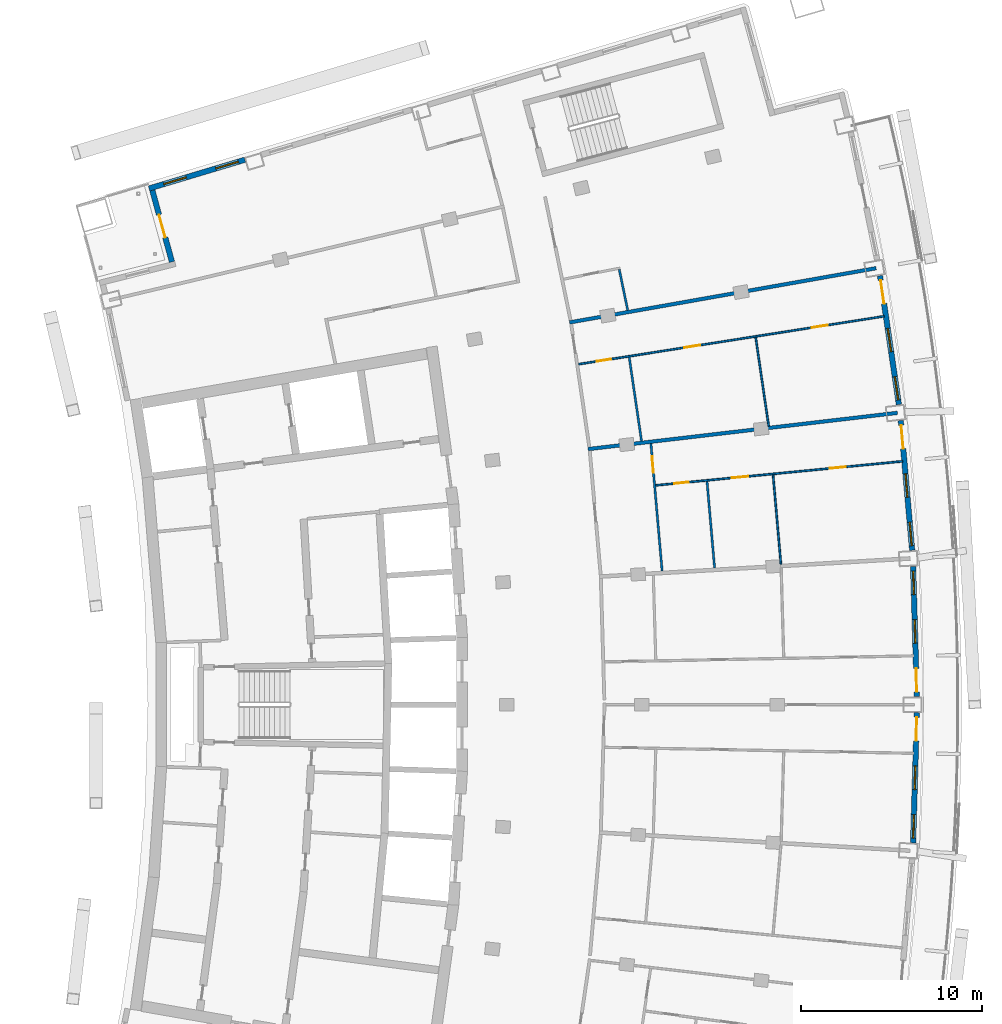
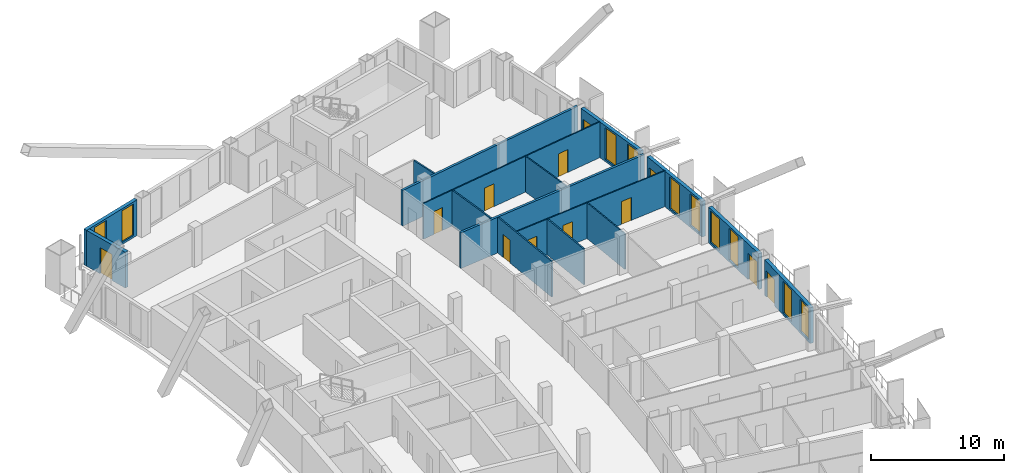
# One storey, part 14 of 19: 16 walls, 12 doors, 10 windows, 22 openings.
"""IFC4 building model written with IfcOpenShell, lengths in metres."""

from ifc_helpers import new_model, si_unit, direction, frame, frame_2d, origin, place, context, subcontext, project, spatial, rectangle, extrude, material, layer, layer_set, type_object, element, fill, save


model = new_model("IFC4")

# Units and contexts
model_context = context("Model", 3, precision=1e-05, world=origin(), true_north=direction((0.0, 1.0)))
body_context = subcontext(model_context, "Body", "Model", "MODEL_VIEW")
ifc_project = project(units=[si_unit("LENGTHUNIT", "METRE"), si_unit("AREAUNIT", "SQUARE_METRE"), si_unit("VOLUMEUNIT", "CUBIC_METRE"), si_unit("PLANEANGLEUNIT", "RADIAN"), si_unit("MASSUNIT", "GRAM", prefix="KILO")], contexts=[model_context])

# Site, building, storey
site_placement = place(None, origin())
site = spatial("IfcSite", under=ifc_project, at=site_placement, CompositionType="ELEMENT")
building_placement = place(site_placement, origin())
building = spatial("IfcBuilding", under=site, at=building_placement, Name="Alderwake Tower", CompositionType="ELEMENT")
storey_placement = place(building_placement, frame((0.0, 0.0, 200.0)))
storey = spatial("IfcBuildingStorey", under=building, at=storey_placement, Name="L49", CompositionType="ELEMENT", Elevation=200.0)

# Wall, openings, door, windows
ifc_material_1 = material(Name="Precast concrete C50/60 spandrel panel", Category="concrete")
ifc_layer_1 = layer(ifc_material_1, 0.300048828125)
ifc_layer_set_1 = layer_set([ifc_layer_1], Name="External wall EW1 Precast concrete C50/60 spandrel")
wall_type_1 = type_object("IfcWallType", Name="External wall EW1 Precast concrete C50/60 spandrel", PredefinedType="SOLIDWALL", material=ifc_layer_set_1)
wall_1_placement = place(storey_placement, frame((58.2275390625, 53.37548828125, 0.0), z_axis=(0.0, 0.0, 1.0), x_axis=(0.029173236612, 0.999574370553, 0.0)))
wall_1 = element("IfcWall", 1, at=wall_1_placement, inside=storey, type_object=wall_type_1, Name="External wall 15", PredefinedType="SOLIDWALL", context=body_context, shape_type="SweptSolid", body=[
    extrude(rectangle(XDim=7.180419921875, YDim=0.300048828125, at=frame_2d((3.59033203125, 0.0))), origin(), (0.0, 0.0, 1.0), 3.280029296875),
])
opening_1_placement = place(wall_1_placement, frame((0.25341796875, 0.0, 0.199951171875)))
opening_1 = element("IfcOpeningElement", 2, at=opening_1_placement, cuts=wall_1, Name="Opening W1", PredefinedType="OPENING", context=body_context, shape_type="SweptSolid", body=[
    extrude(rectangle(XDim=1.300048828125, YDim=2.89990234375, at=frame_2d((0.64990234375, 1.449951171875))), frame((0.0, 0.159912109375, 0.0), z_axis=(0.0, -1.0, 0.0), x_axis=(1.0, 0.0, 0.0)), (0.0, 0.0, 1.0), 0.320068359375),
])
opening_2_placement = place(wall_1_placement, frame((2.940185546875, 0.0, 0.199951171875)))
opening_2 = element("IfcOpeningElement", 3, at=opening_2_placement, cuts=wall_1, Name="Opening W1", PredefinedType="OPENING", context=body_context, shape_type="SweptSolid", body=[
    extrude(rectangle(XDim=1.300048828125, YDim=2.89990234375, at=frame_2d((0.64990234375, 1.449951171875))), frame((0.0, 0.159912109375, 0.0), z_axis=(0.0, -1.0, 0.0), x_axis=(1.0, 0.0, 0.0)), (0.0, 0.0, 1.0), 0.320068359375),
])
opening_3_placement = place(wall_1_placement, frame((5.626953125, 0.0, 0.0)))
opening_3 = element("IfcOpeningElement", 4, at=opening_3_placement, cuts=wall_1, Name="Opening D05", PredefinedType="OPENING", context=body_context, shape_type="SweptSolid", body=[
    extrude(rectangle(XDim=1.300048828125, YDim=2.39990234375, at=frame_2d((0.64990234375, 1.199951171875))), frame((0.0, 0.159912109375, 0.0), z_axis=(0.0, -1.0, 0.0), x_axis=(1.0, 0.0, 0.0)), (0.0, 0.0, 1.0), 0.320068359375),
])
ifc_material_2 = material(Name="Bronze tinted glass in aluminium frame", Category="aluminium")
door_type_1 = type_object("IfcDoorType", Name="Balcony door BD sliding", OperationType="SLIDING_TO_LEFT", PredefinedType="DOOR", material=ifc_material_2)
door_1_placement = place(opening_3_placement, origin())
door_1 = element("IfcDoor", 5, at=door_1_placement, inside=storey, type_object=door_type_1, Name="Door D05", OperationType="SLIDING_TO_LEFT", OverallHeight=2.39990234375, OverallWidth=1.300048828125, PredefinedType="DOOR", context=body_context, shape_type="SweptSolid", body=[
    extrude(rectangle(XDim=1.300048828125, YDim=2.39990234375, at=frame_2d((0.64990234375, 1.199951171875))), frame((0.0, 0.02490234375, 0.0), z_axis=(0.0, -1.0, 0.0), x_axis=(1.0, 0.0, 0.0)), (0.0, 0.0, 1.0), 0.050048828125),
])
fill(opening_3, door_1)
ifc_material_3 = material(Name="Bronze tinted glass in aluminium frame", Category="aluminium")
window_type = type_object("IfcWindowType", Name="Window W1 tall fixed and vent", PartitioningType="DOUBLE_PANEL_VERTICAL", PredefinedType="WINDOW", material=ifc_material_3)
window_1_placement = place(opening_1_placement, origin())
window_1 = element("IfcWindow", 6, at=window_1_placement, inside=storey, type_object=window_type, Name="Window W1 tall fixed and vent", OverallHeight=2.89990234375, OverallWidth=1.300048828125, PartitioningType="DOUBLE_PANEL_VERTICAL", PredefinedType="WINDOW", context=body_context, shape_type="SweptSolid", body=[
    extrude(rectangle(XDim=1.300048828125, YDim=2.89990234375, at=frame_2d((0.64990234375, 1.449951171875))), frame((0.0, 0.030029296875, 0.0), z_axis=(0.0, -1.0, 0.0), x_axis=(1.0, 0.0, 0.0)), (0.0, 0.0, 1.0), 0.06005859375),
])
fill(opening_1, window_1)
window_2_placement = place(opening_2_placement, origin())
window_2 = element("IfcWindow", 7, at=window_2_placement, inside=storey, type_object=window_type, Name="Window W1 tall fixed and vent", OverallHeight=2.89990234375, OverallWidth=1.300048828125, PartitioningType="DOUBLE_PANEL_VERTICAL", PredefinedType="WINDOW", context=body_context, shape_type="SweptSolid", body=[
    extrude(rectangle(XDim=1.300048828125, YDim=2.89990234375, at=frame_2d((0.64990234375, 1.449951171875))), frame((0.0, 0.030029296875, 0.0), z_axis=(0.0, -1.0, 0.0), x_axis=(1.0, 0.0, 0.0)), (0.0, 0.0, 1.0), 0.06005859375),
])
fill(opening_2, window_2)

wall_2_placement = place(storey_placement, frame((58.43701171875, 61.447265625, 0.0), z_axis=(0.0, 0.0, 1.0), x_axis=(-0.029173236612, 0.999574370553, 0.0)))
wall_2 = element("IfcWall", 8, at=wall_2_placement, inside=storey, type_object=wall_type_1, Name="External wall 16", PredefinedType="SOLIDWALL", context=body_context, shape_type="SweptSolid", body=[
    extrude(rectangle(XDim=7.180419921875, YDim=0.300048828125, at=frame_2d((3.59033203125, 0.0))), origin(), (0.0, 0.0, 1.0), 3.280029296875),
])
opening_4_placement = place(wall_2_placement, frame((0.25341796875, 0.0, 0.0)))
opening_4 = element("IfcOpeningElement", 9, at=opening_4_placement, cuts=wall_2, Name="Opening D06", PredefinedType="OPENING", context=body_context, shape_type="SweptSolid", body=[
    extrude(rectangle(XDim=1.300048828125, YDim=2.39990234375, at=frame_2d((0.64990234375, 1.199951171875))), frame((0.0, 0.159912109375, 0.0), z_axis=(0.0, -1.0, 0.0), x_axis=(1.0, 0.0, 0.0)), (0.0, 0.0, 1.0), 0.320068359375),
])
opening_5_placement = place(wall_2_placement, frame((2.940185546875, 0.0, 0.199951171875)))
opening_5 = element("IfcOpeningElement", 10, at=opening_5_placement, cuts=wall_2, Name="Opening W1", PredefinedType="OPENING", context=body_context, shape_type="SweptSolid", body=[
    extrude(rectangle(XDim=1.300048828125, YDim=2.89990234375, at=frame_2d((0.64990234375, 1.449951171875))), frame((0.0, 0.159912109375, 0.0), z_axis=(0.0, -1.0, 0.0), x_axis=(1.0, 0.0, 0.0)), (0.0, 0.0, 1.0), 0.320068359375),
])
opening_6_placement = place(wall_2_placement, frame((5.626953125, 0.0, 0.199951171875)))
opening_6 = element("IfcOpeningElement", 11, at=opening_6_placement, cuts=wall_2, Name="Opening W1", PredefinedType="OPENING", context=body_context, shape_type="SweptSolid", body=[
    extrude(rectangle(XDim=1.300048828125, YDim=2.89990234375, at=frame_2d((0.64990234375, 1.449951171875))), frame((0.0, 0.159912109375, 0.0), z_axis=(0.0, -1.0, 0.0), x_axis=(1.0, 0.0, 0.0)), (0.0, 0.0, 1.0), 0.320068359375),
])
door_2_placement = place(opening_4_placement, origin())
door_2 = element("IfcDoor", 12, at=door_2_placement, inside=storey, type_object=door_type_1, Name="Door D06", OperationType="SLIDING_TO_LEFT", OverallHeight=2.39990234375, OverallWidth=1.300048828125, PredefinedType="DOOR", context=body_context, shape_type="SweptSolid", body=[
    extrude(rectangle(XDim=1.300048828125, YDim=2.39990234375, at=frame_2d((0.64990234375, 1.199951171875))), frame((0.0, 0.02490234375, 0.0), z_axis=(0.0, -1.0, 0.0), x_axis=(1.0, 0.0, 0.0)), (0.0, 0.0, 1.0), 0.050048828125),
])
fill(opening_4, door_2)
window_3_placement = place(opening_5_placement, origin())
window_3 = element("IfcWindow", 13, at=window_3_placement, inside=storey, type_object=window_type, Name="Window W1 tall fixed and vent", OverallHeight=2.89990234375, OverallWidth=1.300048828125, PartitioningType="DOUBLE_PANEL_VERTICAL", PredefinedType="WINDOW", context=body_context, shape_type="SweptSolid", body=[
    extrude(rectangle(XDim=1.300048828125, YDim=2.89990234375, at=frame_2d((0.64990234375, 1.449951171875))), frame((0.0, 0.030029296875, 0.0), z_axis=(0.0, -1.0, 0.0), x_axis=(1.0, 0.0, 0.0)), (0.0, 0.0, 1.0), 0.06005859375),
])
fill(opening_5, window_3)
window_4_placement = place(opening_6_placement, origin())
window_4 = element("IfcWindow", 14, at=window_4_placement, inside=storey, type_object=window_type, Name="Window W1 tall fixed and vent", OverallHeight=2.89990234375, OverallWidth=1.300048828125, PartitioningType="DOUBLE_PANEL_VERTICAL", PredefinedType="WINDOW", context=body_context, shape_type="SweptSolid", body=[
    extrude(rectangle(XDim=1.300048828125, YDim=2.89990234375, at=frame_2d((0.64990234375, 1.449951171875))), frame((0.0, 0.030029296875, 0.0), z_axis=(0.0, -1.0, 0.0), x_axis=(1.0, 0.0, 0.0)), (0.0, 0.0, 1.0), 0.06005859375),
])
fill(opening_6, window_4)

wall_3_placement = place(storey_placement, frame((58.17529296875, 69.517333984375, 0.0), z_axis=(0.0, 0.0, 1.0), x_axis=(-0.087383747715, 0.996174723949, 0.0)))
wall_3 = element("IfcWall", 15, at=wall_3_placement, inside=storey, type_object=wall_type_1, Name="External wall 17", PredefinedType="SOLIDWALL", context=body_context, shape_type="SweptSolid", body=[
    extrude(rectangle(XDim=7.180419921875, YDim=0.300048828125, at=frame_2d((3.59033203125, 0.0))), origin(), (0.0, 0.0, 1.0), 3.280029296875),
])
opening_7_placement = place(wall_3_placement, frame((0.25341796875, 0.0, 0.199951171875)))
opening_7 = element("IfcOpeningElement", 16, at=opening_7_placement, cuts=wall_3, Name="Opening W1", PredefinedType="OPENING", context=body_context, shape_type="SweptSolid", body=[
    extrude(rectangle(XDim=1.300048828125, YDim=2.89990234375, at=frame_2d((0.64990234375, 1.449951171875))), frame((0.0, 0.159912109375, 0.0), z_axis=(0.0, -1.0, 0.0), x_axis=(1.0, 0.0, 0.0)), (0.0, 0.0, 1.0), 0.320068359375),
])
opening_8_placement = place(wall_3_placement, frame((2.940185546875, 0.0, 0.199951171875)))
opening_8 = element("IfcOpeningElement", 17, at=opening_8_placement, cuts=wall_3, Name="Opening W1", PredefinedType="OPENING", context=body_context, shape_type="SweptSolid", body=[
    extrude(rectangle(XDim=1.300048828125, YDim=2.89990234375, at=frame_2d((0.64990234375, 1.449951171875))), frame((0.0, 0.159912109375, 0.0), z_axis=(0.0, -1.0, 0.0), x_axis=(1.0, 0.0, 0.0)), (0.0, 0.0, 1.0), 0.320068359375),
])
opening_9_placement = place(wall_3_placement, frame((5.626953125, 0.0, 0.0)))
opening_9 = element("IfcOpeningElement", 18, at=opening_9_placement, cuts=wall_3, Name="Opening D07", PredefinedType="OPENING", context=body_context, shape_type="SweptSolid", body=[
    extrude(rectangle(XDim=1.300048828125, YDim=2.39990234375, at=frame_2d((0.64990234375, 1.199951171875))), frame((0.0, 0.159912109375, 0.0), z_axis=(0.0, -1.0, 0.0), x_axis=(1.0, 0.0, 0.0)), (0.0, 0.0, 1.0), 0.320068359375),
])
door_3_placement = place(opening_9_placement, origin())
door_3 = element("IfcDoor", 19, at=door_3_placement, inside=storey, type_object=door_type_1, Name="Door D07", OperationType="SLIDING_TO_LEFT", OverallHeight=2.39990234375, OverallWidth=1.300048828125, PredefinedType="DOOR", context=body_context, shape_type="SweptSolid", body=[
    extrude(rectangle(XDim=1.300048828125, YDim=2.39990234375, at=frame_2d((0.64990234375, 1.199951171875))), frame((0.0, 0.02490234375, 0.0), z_axis=(0.0, -1.0, 0.0), x_axis=(1.0, 0.0, 0.0)), (0.0, 0.0, 1.0), 0.050048828125),
])
fill(opening_9, door_3)
window_5_placement = place(opening_7_placement, origin())
window_5 = element("IfcWindow", 20, at=window_5_placement, inside=storey, type_object=window_type, Name="Window W1 tall fixed and vent", OverallHeight=2.89990234375, OverallWidth=1.300048828125, PartitioningType="DOUBLE_PANEL_VERTICAL", PredefinedType="WINDOW", context=body_context, shape_type="SweptSolid", body=[
    extrude(rectangle(XDim=1.300048828125, YDim=2.89990234375, at=frame_2d((0.64990234375, 1.449951171875))), frame((0.0, 0.030029296875, 0.0), z_axis=(0.0, -1.0, 0.0), x_axis=(1.0, 0.0, 0.0)), (0.0, 0.0, 1.0), 0.06005859375),
])
fill(opening_7, window_5)
window_6_placement = place(opening_8_placement, origin())
window_6 = element("IfcWindow", 21, at=window_6_placement, inside=storey, type_object=window_type, Name="Window W1 tall fixed and vent", OverallHeight=2.89990234375, OverallWidth=1.300048828125, PartitioningType="DOUBLE_PANEL_VERTICAL", PredefinedType="WINDOW", context=body_context, shape_type="SweptSolid", body=[
    extrude(rectangle(XDim=1.300048828125, YDim=2.89990234375, at=frame_2d((0.64990234375, 1.449951171875))), frame((0.0, 0.030029296875, 0.0), z_axis=(0.0, -1.0, 0.0), x_axis=(1.0, 0.0, 0.0)), (0.0, 0.0, 1.0), 0.06005859375),
])
fill(opening_8, window_6)

wall_4_placement = place(storey_placement, frame((57.44384765625, 77.55859375, 0.0), z_axis=(0.0, 0.0, 1.0), x_axis=(-0.145323662677, 0.989384168595, 0.0)))
wall_4 = element("IfcWall", 22, at=wall_4_placement, inside=storey, type_object=wall_type_1, Name="External wall 18", PredefinedType="SOLIDWALL", context=body_context, shape_type="SweptSolid", body=[
    extrude(rectangle(XDim=7.18017578125, YDim=0.300048828125, at=frame_2d((3.590087890625, 0.0))), origin(), (0.0, 0.0, 1.0), 3.280029296875),
])
opening_10_placement = place(wall_4_placement, frame((0.25341796875, 0.0, 0.199951171875)))
opening_10 = element("IfcOpeningElement", 23, at=opening_10_placement, cuts=wall_4, Name="Opening W1", PredefinedType="OPENING", context=body_context, shape_type="SweptSolid", body=[
    extrude(rectangle(XDim=1.300048828125, YDim=2.89990234375, at=frame_2d((0.64990234375, 1.449951171875))), frame((0.0, 0.159912109375, 0.0), z_axis=(0.0, -1.0, 0.0), x_axis=(1.0, 0.0, 0.0)), (0.0, 0.0, 1.0), 0.320068359375),
])
opening_11_placement = place(wall_4_placement, frame((2.940185546875, 0.0, 0.199951171875)))
opening_11 = element("IfcOpeningElement", 24, at=opening_11_placement, cuts=wall_4, Name="Opening W1", PredefinedType="OPENING", context=body_context, shape_type="SweptSolid", body=[
    extrude(rectangle(XDim=1.300048828125, YDim=2.89990234375, at=frame_2d((0.64990234375, 1.449951171875))), frame((0.0, 0.159912109375, 0.0), z_axis=(0.0, -1.0, 0.0), x_axis=(1.0, 0.0, 0.0)), (0.0, 0.0, 1.0), 0.320068359375),
])
opening_12_placement = place(wall_4_placement, frame((5.626953125, 0.0, 0.0)))
opening_12 = element("IfcOpeningElement", 25, at=opening_12_placement, cuts=wall_4, Name="Opening D08", PredefinedType="OPENING", context=body_context, shape_type="SweptSolid", body=[
    extrude(rectangle(XDim=1.300048828125, YDim=2.39990234375, at=frame_2d((0.64990234375, 1.199951171875))), frame((0.0, 0.159912109375, 0.0), z_axis=(0.0, -1.0, 0.0), x_axis=(1.0, 0.0, 0.0)), (0.0, 0.0, 1.0), 0.320068359375),
])
door_4_placement = place(opening_12_placement, origin())
door_4 = element("IfcDoor", 26, at=door_4_placement, inside=storey, type_object=door_type_1, Name="Door D08", OperationType="SLIDING_TO_LEFT", OverallHeight=2.39990234375, OverallWidth=1.300048828125, PredefinedType="DOOR", context=body_context, shape_type="SweptSolid", body=[
    extrude(rectangle(XDim=1.300048828125, YDim=2.39990234375, at=frame_2d((0.64990234375, 1.199951171875))), frame((0.0, 0.02490234375, 0.0), z_axis=(0.0, -1.0, 0.0), x_axis=(1.0, 0.0, 0.0)), (0.0, 0.0, 1.0), 0.050048828125),
])
fill(opening_12, door_4)
window_7_placement = place(opening_10_placement, origin())
window_7 = element("IfcWindow", 27, at=window_7_placement, inside=storey, type_object=window_type, Name="Window W1 tall fixed and vent", OverallHeight=2.89990234375, OverallWidth=1.300048828125, PartitioningType="DOUBLE_PANEL_VERTICAL", PredefinedType="WINDOW", context=body_context, shape_type="SweptSolid", body=[
    extrude(rectangle(XDim=1.300048828125, YDim=2.89990234375, at=frame_2d((0.64990234375, 1.449951171875))), frame((0.0, 0.030029296875, 0.0), z_axis=(0.0, -1.0, 0.0), x_axis=(1.0, 0.0, 0.0)), (0.0, 0.0, 1.0), 0.06005859375),
])
fill(opening_10, window_7)
window_8_placement = place(opening_11_placement, origin())
window_8 = element("IfcWindow", 28, at=window_8_placement, inside=storey, type_object=window_type, Name="Window W1 tall fixed and vent", OverallHeight=2.89990234375, OverallWidth=1.300048828125, PartitioningType="DOUBLE_PANEL_VERTICAL", PredefinedType="WINDOW", context=body_context, shape_type="SweptSolid", body=[
    extrude(rectangle(XDim=1.300048828125, YDim=2.89990234375, at=frame_2d((0.64990234375, 1.449951171875))), frame((0.0, 0.030029296875, 0.0), z_axis=(0.0, -1.0, 0.0), x_axis=(1.0, 0.0, 0.0)), (0.0, 0.0, 1.0), 0.06005859375),
])
fill(opening_11, window_8)

# Wall, openings, windows
ifc_material_4 = material(Name="Bronze metal cladding on lightweight framing")
ifc_layer_2 = layer(ifc_material_4, 0.300048828125)
ifc_layer_set_2 = layer_set([ifc_layer_2], Name="External wall EW2 bronze metal cladding")
wall_type_2 = type_object("IfcWallType", Name="External wall EW2 bronze metal cladding", PredefinedType="SOLIDWALL", material=ifc_layer_set_2)
wall_5_placement = place(storey_placement, frame((21.356689453125, 91.064697265625, 0.0), z_axis=(0.0, 0.0, 1.0), x_axis=(-0.957772749247, -0.287526278451, 0.0)))
wall_5 = element("IfcWall", 29, at=wall_5_placement, inside=storey, type_object=wall_type_2, Name="External wall 27", PredefinedType="SOLIDWALL", context=body_context, shape_type="SweptSolid", body=[
    extrude(rectangle(XDim=5.524169921875, YDim=0.300048828125, at=frame_2d((2.76220703125, 0.0))), origin(), (0.0, 0.0, 1.0), 3.280029296875),
])
opening_13_placement = place(wall_5_placement, frame((0.373291015625, 0.0, 0.199951171875)))
opening_13 = element("IfcOpeningElement", 30, at=opening_13_placement, cuts=wall_5, Name="Opening W1", PredefinedType="OPENING", context=body_context, shape_type="SweptSolid", body=[
    extrude(rectangle(XDim=1.300048828125, YDim=2.89990234375, at=frame_2d((0.64990234375, 1.449951171875))), frame((0.0, 0.159912109375, 0.0), z_axis=(0.0, -1.0, 0.0), x_axis=(1.0, 0.0, 0.0)), (0.0, 0.0, 1.0), 0.320068359375),
])
opening_14_placement = place(wall_5_placement, frame((3.3740234375, 0.0, 0.199951171875)))
opening_14 = element("IfcOpeningElement", 31, at=opening_14_placement, cuts=wall_5, Name="Opening W1", PredefinedType="OPENING", context=body_context, shape_type="SweptSolid", body=[
    extrude(rectangle(XDim=1.300048828125, YDim=2.89990234375, at=frame_2d((0.64990234375, 1.449951171875))), frame((0.0, 0.159912109375, 0.0), z_axis=(0.0, -1.0, 0.0), x_axis=(1.0, 0.0, 0.0)), (0.0, 0.0, 1.0), 0.320068359375),
])
window_9_placement = place(opening_13_placement, origin())
window_9 = element("IfcWindow", 32, at=window_9_placement, inside=storey, type_object=window_type, Name="Window W1 tall fixed and vent", OverallHeight=2.89990234375, OverallWidth=1.300048828125, PartitioningType="DOUBLE_PANEL_VERTICAL", PredefinedType="WINDOW", context=body_context, shape_type="SweptSolid", body=[
    extrude(rectangle(XDim=1.300048828125, YDim=2.89990234375, at=frame_2d((0.64990234375, 1.449951171875))), frame((0.0, 0.030029296875, 0.0), z_axis=(0.0, -1.0, 0.0), x_axis=(1.0, 0.0, 0.0)), (0.0, 0.0, 1.0), 0.06005859375),
])
fill(opening_13, window_9)
window_10_placement = place(opening_14_placement, origin())
window_10 = element("IfcWindow", 33, at=window_10_placement, inside=storey, type_object=window_type, Name="Window W1 tall fixed and vent", OverallHeight=2.89990234375, OverallWidth=1.300048828125, PartitioningType="DOUBLE_PANEL_VERTICAL", PredefinedType="WINDOW", context=body_context, shape_type="SweptSolid", body=[
    extrude(rectangle(XDim=1.300048828125, YDim=2.89990234375, at=frame_2d((0.64990234375, 1.449951171875))), frame((0.0, 0.030029296875, 0.0), z_axis=(0.0, -1.0, 0.0), x_axis=(1.0, 0.0, 0.0)), (0.0, 0.0, 1.0), 0.06005859375),
])
fill(opening_14, window_10)

# Wall, opening, door
wall_6_placement = place(storey_placement, frame((16.248779296875, 89.374755859375, 0.0), z_axis=(0.0, 0.0, 1.0), x_axis=(0.264607053468, -0.964356317579, 0.0)))
wall_6 = element("IfcWall", 34, at=wall_6_placement, inside=storey, type_object=wall_type_2, Name="External wall 28", PredefinedType="SOLIDWALL", context=body_context, shape_type="SweptSolid", body=[
    extrude(rectangle(XDim=4.090087890625, YDim=0.300048828125, at=frame_2d((2.044921875, 0.0))), origin(), (0.0, 0.0, 1.0), 3.280029296875),
])
opening_15_placement = place(wall_6_placement, frame((1.39501953125, 0.0, 0.0)))
opening_15 = element("IfcOpeningElement", 35, at=opening_15_placement, cuts=wall_6, Name="Opening D10", PredefinedType="OPENING", context=body_context, shape_type="SweptSolid", body=[
    extrude(rectangle(XDim=1.300048828125, YDim=2.39990234375, at=frame_2d((0.64990234375, 1.199951171875))), frame((0.0, 0.159912109375, 0.0), z_axis=(0.0, -1.0, 0.0), x_axis=(1.0, 0.0, 0.0)), (0.0, 0.0, 1.0), 0.320068359375),
])
door_5_placement = place(opening_15_placement, origin())
door_5 = element("IfcDoor", 36, at=door_5_placement, inside=storey, type_object=door_type_1, Name="Door D10", OperationType="SLIDING_TO_LEFT", OverallHeight=2.39990234375, OverallWidth=1.300048828125, PredefinedType="DOOR", context=body_context, shape_type="SweptSolid", body=[
    extrude(rectangle(XDim=1.300048828125, YDim=2.39990234375, at=frame_2d((0.64990234375, 1.199951171875))), frame((0.0, 0.02490234375, 0.0), z_axis=(0.0, -1.0, 0.0), x_axis=(1.0, 0.0, 0.0)), (0.0, 0.0, 1.0), 0.050048828125),
])
fill(opening_15, door_5)

# Walls
ifc_material_5 = material(Name="Dense block masonry wall", Category="masonry")
ifc_layer_3 = layer(ifc_material_5, 0.199951171875)
ifc_layer_set_3 = layer_set([ifc_layer_3], Name="Party wall 200")
wall_type_3 = type_object("IfcWallType", Name="Party wall 200", PredefinedType="SOLIDWALL", material=ifc_layer_set_3)
wall_7_placement = place(storey_placement, frame((56.18701171875, 85.080078125, 0.0), z_axis=(0.0, 0.0, 1.0), x_axis=(-0.984709365413, -0.174205240069, 0.0)))
element("IfcWall", 37, at=wall_7_placement, inside=storey, type_object=wall_type_3, Name="WL/L49/W02", PredefinedType="SOLIDWALL", context=body_context, shape_type="SweptSolid", body=[
    extrude(rectangle(XDim=17.180419921875, YDim=0.199951171875, at=frame_2d((8.59033203125, 0.0))), origin(), (0.0, 0.0, 1.0), 3.280029296875),
])
wall_8_placement = place(storey_placement, frame((57.360107421875, 77.096923828125, 0.0), z_axis=(0.0, 0.0, 1.0), x_axis=(-0.993211679242, -0.116320936278, 0.0)))
element("IfcWall", 38, at=wall_8_placement, inside=storey, type_object=wall_type_3, Name="WL/L49/W03", PredefinedType="SOLIDWALL", context=body_context, shape_type="SweptSolid", body=[
    extrude(rectangle(XDim=17.17919921875, YDim=0.199951171875, at=frame_2d((8.589599609375, 0.0))), origin(), (0.0, 0.0, 1.0), 3.280029296875),
])

# Wall, openings, doors
ifc_material_6 = material(Name="Gypsum board on metal studs")
ifc_layer_4 = layer(ifc_material_6, 0.10009765625)
ifc_layer_set_4 = layer_set([ifc_layer_4], Name="Unit partition 100")
wall_type_4 = type_object("IfcWallType", Name="Unit partition 100", PredefinedType="PARTITIONING", material=ifc_layer_set_4)
wall_9_placement = place(storey_placement, frame((56.6279296875, 82.427978515625, 0.0), z_axis=(0.0, 0.0, 1.0), x_axis=(-0.987910763847, -0.155023619733, 0.0)))
wall_9 = element("IfcWall", 39, at=wall_9_placement, inside=storey, type_object=wall_type_4, Name="WL/L49/W44", PredefinedType="PARTITIONING", context=body_context, shape_type="SweptSolid", body=[
    extrude(rectangle(XDim=17.065185546875, YDim=0.10009765625, at=frame_2d((8.53271484375, 0.0))), origin(), (0.0, 0.0, 1.0), 3.280029296875),
])
opening_16_placement = place(wall_9_placement, frame((10.263671875, 0.0, 0.0)))
opening_16 = element("IfcOpeningElement", 40, at=opening_16_placement, cuts=wall_9, Name="Opening R14-U07.1", PredefinedType="OPENING", context=body_context, shape_type="SweptSolid", body=[
    extrude(rectangle(XDim=0.89990234375, YDim=2.10009765625, at=frame_2d((0.449951171875, 1.050048828125))), frame((0.0, 0.06005859375, 0.0), z_axis=(0.0, -1.0, 0.0), x_axis=(1.0, 0.0, 0.0)), (0.0, 0.0, 1.0), 0.1201171875),
])
opening_17_placement = place(wall_9_placement, frame((15.255126953125, 0.0, 0.0)))
opening_17 = element("IfcOpeningElement", 41, at=opening_17_placement, cuts=wall_9, Name="Opening R14-U07.3", PredefinedType="OPENING", context=body_context, shape_type="SweptSolid", body=[
    extrude(rectangle(XDim=0.800048828125, YDim=2.10009765625, at=frame_2d((0.39990234375, 1.050048828125))), frame((0.0, 0.06005859375, 0.0), z_axis=(0.0, -1.0, 0.0), x_axis=(1.0, 0.0, 0.0)), (0.0, 0.0, 1.0), 0.1201171875),
])
opening_18_placement = place(wall_9_placement, frame((3.141845703125, 0.0, 0.0)))
opening_18 = element("IfcOpeningElement", 42, at=opening_18_placement, cuts=wall_9, Name="Opening R14-U07.4", PredefinedType="OPENING", context=body_context, shape_type="SweptSolid", body=[
    extrude(rectangle(XDim=0.89990234375, YDim=2.10009765625, at=frame_2d((0.449951171875, 1.050048828125))), frame((0.0, 0.06005859375, 0.0), z_axis=(0.0, -1.0, 0.0), x_axis=(1.0, 0.0, 0.0)), (0.0, 0.0, 1.0), 0.1201171875),
])
ifc_material_7 = material(Name="Painted timber leaf", Category="wood")
door_type_2 = type_object("IfcDoorType", Name="Bathroom door 800", OperationType="SINGLE_SWING_LEFT", PredefinedType="DOOR", material=ifc_material_7)
door_6_placement = place(opening_17_placement, origin())
door_6 = element("IfcDoor", 43, at=door_6_placement, inside=storey, type_object=door_type_2, Name="DR/L49/U07.3", OperationType="SINGLE_SWING_LEFT", OverallHeight=2.10009765625, OverallWidth=0.800048828125, PredefinedType="DOOR", context=body_context, shape_type="SweptSolid", body=[
    extrude(rectangle(XDim=0.800048828125, YDim=2.10009765625, at=frame_2d((0.39990234375, 1.050048828125))), frame((0.0, 0.02490234375, 0.0), z_axis=(0.0, -1.0, 0.0), x_axis=(1.0, 0.0, 0.0)), (0.0, 0.0, 1.0), 0.050048828125),
])
fill(opening_17, door_6)
ifc_material_8 = material(Name="Painted timber leaf", Category="wood")
door_type_3 = type_object("IfcDoorType", Name="Room door 900", OperationType="SINGLE_SWING_LEFT", PredefinedType="DOOR", material=ifc_material_8)
door_7_placement = place(opening_16_placement, origin())
door_7 = element("IfcDoor", 44, at=door_7_placement, inside=storey, type_object=door_type_3, Name="DR/L49/U07.1", OperationType="SINGLE_SWING_LEFT", OverallHeight=2.10009765625, OverallWidth=0.89990234375, PredefinedType="DOOR", context=body_context, shape_type="SweptSolid", body=[
    extrude(rectangle(XDim=0.89990234375, YDim=2.10009765625, at=frame_2d((0.449951171875, 1.050048828125))), frame((0.0, 0.02490234375, 0.0), z_axis=(0.0, -1.0, 0.0), x_axis=(1.0, 0.0, 0.0)), (0.0, 0.0, 1.0), 0.050048828125),
])
fill(opening_16, door_7)
door_8_placement = place(opening_18_placement, origin())
door_8 = element("IfcDoor", 45, at=door_8_placement, inside=storey, type_object=door_type_3, Name="DR/L49/U07.4", OperationType="SINGLE_SWING_LEFT", OverallHeight=2.10009765625, OverallWidth=0.89990234375, PredefinedType="DOOR", context=body_context, shape_type="SweptSolid", body=[
    extrude(rectangle(XDim=0.89990234375, YDim=2.10009765625, at=frame_2d((0.449951171875, 1.050048828125))), frame((0.0, 0.02490234375, 0.0), z_axis=(0.0, -1.0, 0.0), x_axis=(1.0, 0.0, 0.0)), (0.0, 0.0, 1.0), 0.050048828125),
])
fill(opening_18, door_8)

wall_10_placement = place(storey_placement, frame((57.64501953125, 74.424072265625, 0.0), z_axis=(0.0, 0.0, 1.0), x_axis=(-0.995293286356, -0.096908586486, 0.0)))
wall_10 = element("IfcWall", 46, at=wall_10_placement, inside=storey, type_object=wall_type_4, Name="WL/L49/W50", PredefinedType="PARTITIONING", context=body_context, shape_type="SweptSolid", body=[
    extrude(rectangle(XDim=13.684814453125, YDim=0.10009765625, at=frame_2d((6.84228515625, 0.0))), origin(), (0.0, 0.0, 1.0), 3.280029296875),
])
opening_19_placement = place(wall_10_placement, frame((8.564208984375, 0.0, 0.0)))
opening_19 = element("IfcOpeningElement", 47, at=opening_19_placement, cuts=wall_10, Name="Opening R14-U06.1", PredefinedType="OPENING", context=body_context, shape_type="SweptSolid", body=[
    extrude(rectangle(XDim=0.89990234375, YDim=2.10009765625, at=frame_2d((0.449951171875, 1.050048828125))), frame((0.0, 0.06005859375, 0.0), z_axis=(0.0, -1.0, 0.0), x_axis=(1.0, 0.0, 0.0)), (0.0, 0.0, 1.0), 0.1201171875),
])
opening_20_placement = place(wall_10_placement, frame((11.865478515625, 0.0, 0.0)))
opening_20 = element("IfcOpeningElement", 48, at=opening_20_placement, cuts=wall_10, Name="Opening R14-U06.4", PredefinedType="OPENING", context=body_context, shape_type="SweptSolid", body=[
    extrude(rectangle(XDim=0.800048828125, YDim=2.10009765625, at=frame_2d((0.39990234375, 1.050048828125))), frame((0.0, 0.06005859375, 0.0), z_axis=(0.0, -1.0, 0.0), x_axis=(1.0, 0.0, 0.0)), (0.0, 0.0, 1.0), 0.1201171875),
])
opening_21_placement = place(wall_10_placement, frame((3.141845703125, 0.0, 0.0)))
opening_21 = element("IfcOpeningElement", 49, at=opening_21_placement, cuts=wall_10, Name="Opening R14-U06.5", PredefinedType="OPENING", context=body_context, shape_type="SweptSolid", body=[
    extrude(rectangle(XDim=0.89990234375, YDim=2.10009765625, at=frame_2d((0.449951171875, 1.050048828125))), frame((0.0, 0.06005859375, 0.0), z_axis=(0.0, -1.0, 0.0), x_axis=(1.0, 0.0, 0.0)), (0.0, 0.0, 1.0), 0.1201171875),
])
door_9_placement = place(opening_20_placement, origin())
door_9 = element("IfcDoor", 50, at=door_9_placement, inside=storey, type_object=door_type_2, Name="DR/L49/U06.4", OperationType="SINGLE_SWING_LEFT", OverallHeight=2.10009765625, OverallWidth=0.800048828125, PredefinedType="DOOR", context=body_context, shape_type="SweptSolid", body=[
    extrude(rectangle(XDim=0.800048828125, YDim=2.10009765625, at=frame_2d((0.39990234375, 1.050048828125))), frame((0.0, 0.02490234375, 0.0), z_axis=(0.0, -1.0, 0.0), x_axis=(1.0, 0.0, 0.0)), (0.0, 0.0, 1.0), 0.050048828125),
])
fill(opening_20, door_9)
door_10_placement = place(opening_19_placement, origin())
door_10 = element("IfcDoor", 51, at=door_10_placement, inside=storey, type_object=door_type_3, Name="DR/L49/U06.1", OperationType="SINGLE_SWING_LEFT", OverallHeight=2.10009765625, OverallWidth=0.89990234375, PredefinedType="DOOR", context=body_context, shape_type="SweptSolid", body=[
    extrude(rectangle(XDim=0.89990234375, YDim=2.10009765625, at=frame_2d((0.449951171875, 1.050048828125))), frame((0.0, 0.02490234375, 0.0), z_axis=(0.0, -1.0, 0.0), x_axis=(1.0, 0.0, 0.0)), (0.0, 0.0, 1.0), 0.050048828125),
])
fill(opening_19, door_10)
door_11_placement = place(opening_21_placement, origin())
door_11 = element("IfcDoor", 52, at=door_11_placement, inside=storey, type_object=door_type_3, Name="DR/L49/U06.5", OperationType="SINGLE_SWING_LEFT", OverallHeight=2.10009765625, OverallWidth=0.89990234375, PredefinedType="DOOR", context=body_context, shape_type="SweptSolid", body=[
    extrude(rectangle(XDim=0.89990234375, YDim=2.10009765625, at=frame_2d((0.449951171875, 1.050048828125))), frame((0.0, 0.02490234375, 0.0), z_axis=(0.0, -1.0, 0.0), x_axis=(1.0, 0.0, 0.0)), (0.0, 0.0, 1.0), 0.050048828125),
])
fill(opening_21, door_11)

# Walls
wall_11_placement = place(storey_placement, frame((50.259521484375, 76.367919921875, 0.0), z_axis=(0.0, 0.0, 1.0), x_axis=(-0.145300878319, 0.989387514961, 0.0)))
element("IfcWall", 53, at=wall_11_placement, inside=storey, type_object=wall_type_4, Name="WL/L49/W53", PredefinedType="PARTITIONING", context=body_context, shape_type="SweptSolid", body=[
    extrude(rectangle(XDim=4.949951171875, YDim=0.10009765625, at=frame_2d((2.47509765625, 0.0))), origin(), (0.0, 0.0, 1.0), 3.280029296875),
])
wall_12_placement = place(storey_placement, frame((50.93408203125, 68.74560546875, 0.0), z_axis=(0.0, 0.0, 1.0), x_axis=(-0.087565726078, 0.996158744185, 0.0)))
element("IfcWall", 54, at=wall_12_placement, inside=storey, type_object=wall_type_4, Name="WL/L49/W56", PredefinedType="PARTITIONING", context=body_context, shape_type="SweptSolid", body=[
    extrude(rectangle(XDim=4.95166015625, YDim=0.10009765625, at=frame_2d((2.475830078125, 0.0))), origin(), (0.0, 0.0, 1.0), 3.280029296875),
])
ifc_material_9 = material(Name="Moisture resistant gypsum board on metal studs")
ifc_layer_5 = layer(ifc_material_9, 0.1201171875)
ifc_layer_set_5 = layer_set([ifc_layer_5], Name="Wet room partition 120")
wall_type_5 = type_object("IfcWallType", Name="Wet room partition 120", PredefinedType="PARTITIONING", material=ifc_layer_set_5)
wall_13_placement = place(storey_placement, frame((42.480712890625, 82.757080078125, 0.0), z_axis=(0.0, 0.0, 1.0), x_axis=(-0.203155177508, 0.979146553817, 0.0)))
element("IfcWall", 55, at=wall_13_placement, inside=storey, type_object=wall_type_5, Name="WL/L49/W34", PredefinedType="PARTITIONING", context=body_context, shape_type="SweptSolid", body=[
    extrude(rectangle(XDim=2.30615234375, YDim=0.1201171875, at=frame_2d((1.153076171875, 0.0))), origin(), (0.0, 0.0, 1.0), 3.280029296875),
])
wall_14_placement = place(storey_placement, frame((43.242431640625, 75.5458984375, 0.0), z_axis=(0.0, 0.0, 1.0), x_axis=(-0.145515042, 0.989356039326, 0.0)))
element("IfcWall", 56, at=wall_14_placement, inside=storey, type_object=wall_type_5, Name="WL/L49/W36", PredefinedType="PARTITIONING", context=body_context, shape_type="SweptSolid", body=[
    extrude(rectangle(XDim=4.67431640625, YDim=0.1201171875, at=frame_2d((2.337158203125, 0.0))), origin(), (0.0, 0.0, 1.0), 3.280029296875),
])

# Wall, opening, door
wall_15_placement = place(storey_placement, frame((43.7607421875, 75.404296875, 0.0), z_axis=(0.0, 0.0, 1.0), x_axis=(0.087510659507, -0.996163583189, 0.0)))
wall_15 = element("IfcWall", 57, at=wall_15_placement, inside=storey, type_object=wall_type_5, Name="WL/L49/W38", PredefinedType="PARTITIONING", context=body_context, shape_type="SweptSolid", body=[
    extrude(rectangle(XDim=7.066650390625, YDim=0.1201171875, at=frame_2d((3.533203125, 0.0))), origin(), (0.0, 0.0, 1.0), 3.280029296875),
])
opening_22_placement = place(wall_15_placement, frame((0.71142578125, 0.0, 0.0)))
opening_22 = element("IfcOpeningElement", 58, at=opening_22_placement, cuts=wall_15, Name="Opening R14-U06.3", PredefinedType="OPENING", context=body_context, shape_type="SweptSolid", body=[
    extrude(rectangle(XDim=0.89990234375, YDim=2.10009765625, at=frame_2d((0.449951171875, 1.050048828125))), frame((0.0, 0.070068359375, 0.0), z_axis=(0.0, -1.0, 0.0), x_axis=(1.0, 0.0, 0.0)), (0.0, 0.0, 1.0), 0.14013671875),
])
door_12_placement = place(opening_22_placement, origin())
door_12 = element("IfcDoor", 59, at=door_12_placement, inside=storey, type_object=door_type_3, Name="DR/L49/U06.3", OperationType="SINGLE_SWING_LEFT", OverallHeight=2.10009765625, OverallWidth=0.89990234375, PredefinedType="DOOR", context=body_context, shape_type="SweptSolid", body=[
    extrude(rectangle(XDim=0.89990234375, YDim=2.10009765625, at=frame_2d((0.449951171875, 1.050048828125))), frame((0.0, 0.02490234375, 0.0), z_axis=(0.0, -1.0, 0.0), x_axis=(1.0, 0.0, 0.0)), (0.0, 0.0, 1.0), 0.050048828125),
])
fill(opening_22, door_12)

# Wall
wall_16_placement = place(storey_placement, frame((47.2744140625, 68.53271484375, 0.0), z_axis=(0.0, 0.0, 1.0), x_axis=(-0.087155609358, 0.996194709762, 0.0)))
element("IfcWall", 60, at=wall_16_placement, inside=storey, type_object=wall_type_5, Name="WL/L49/W42", PredefinedType="PARTITIONING", context=body_context, shape_type="SweptSolid", body=[
    extrude(rectangle(XDim=4.806884765625, YDim=0.1201171875, at=frame_2d((2.4033203125, 0.0))), origin(), (0.0, 0.0, 1.0), 3.280029296875),
])

save(model, "model.ifc")
